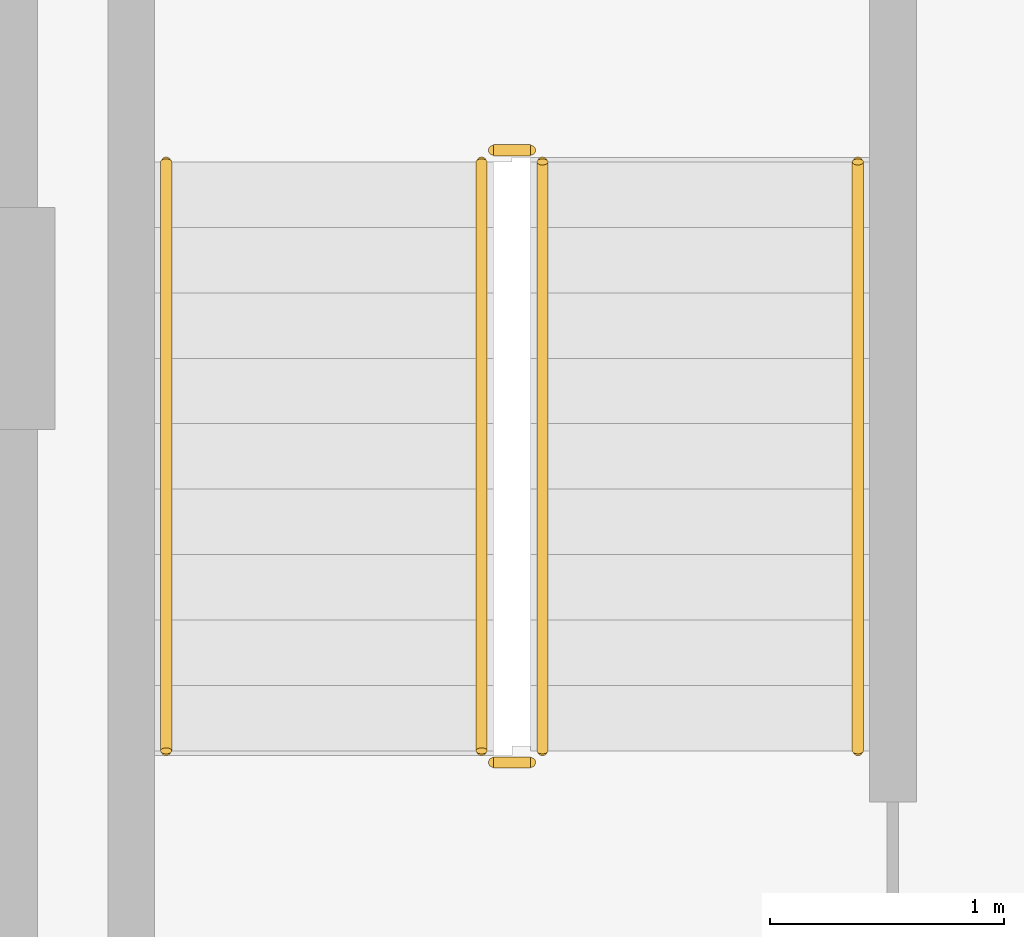
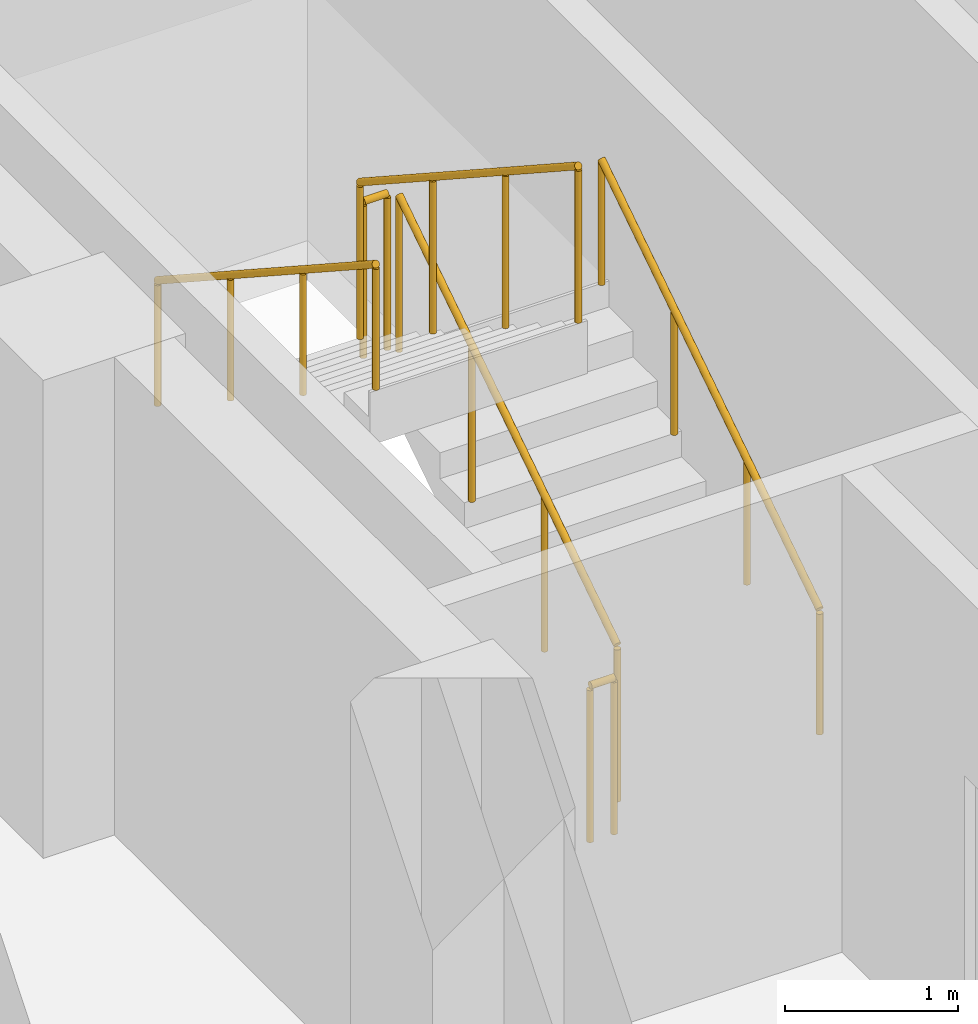
# One storey, part 11 of 13: 6 railings.
"""IFC4 building model written with IfcOpenShell, lengths in metres."""

from ifc_helpers import new_model, si_unit, direction, frame, origin, origin_2d, place, context, subcontext, project, spatial, circle, extrude, material, type_object, element, save


model = new_model("IFC4")

# Units and contexts
model_context = context("Model", 3, precision=1e-05, world=origin(), true_north=direction((0.0, 1.0)))
body_context = subcontext(model_context, "Body", "Model", "MODEL_VIEW")
ifc_project = project(units=[si_unit("LENGTHUNIT", "METRE"), si_unit("AREAUNIT", "SQUARE_METRE"), si_unit("VOLUMEUNIT", "CUBIC_METRE"), si_unit("PLANEANGLEUNIT", "RADIAN"), si_unit("MASSUNIT", "GRAM", prefix="KILO")], contexts=[model_context])

# Site, building, storey
site_placement = place(None, origin())
site = spatial("IfcSite", under=ifc_project, at=site_placement, CompositionType="ELEMENT")
building_placement = place(site_placement, origin())
building = spatial("IfcBuilding", under=site, at=building_placement, Name="Nuvemarco Arch Tower", CompositionType="ELEMENT")
storey_placement = place(building_placement, frame((0.0, 0.0, 153.050048828125)))
storey = spatial("IfcBuildingStorey", under=building, at=storey_placement, Name="L40", CompositionType="ELEMENT", Elevation=153.050048828125)

# Railings
ifc_material_1 = material(Name="Brushed stainless steel handrail", Category="steel")
railing_type_1 = type_object("IfcRailingType", Name="RL-HANDRAIL-900", PredefinedType="HANDRAIL", material=ifc_material_1)
railing_1_placement = place(storey_placement, frame((-13.590087890625, 2.64990234375, 0.182373046875)))
element("IfcRailing", 1, at=railing_1_placement, inside=storey, type_object=railing_type_1, Name="L40 ST-1 stair handrail 1", PredefinedType="HANDRAIL", context=body_context, shape_type="SweptSolid", body=[
    extrude(circle(Radius=0.02392578125, at=origin_2d()), frame((0.0, 0.0, 0.8759765625), z_axis=(0.0, 0.837749427056, 0.546054848405), x_axis=(-1.0, 0.0, 0.0)), (0.0, 0.0, 1.0), 3.008056640625),
    extrude(circle(Radius=0.02099609375, at=origin_2d()), origin(), (0.0, 0.0, 1.0), 0.851806640625),
    extrude(circle(Radius=0.02099609375, at=origin_2d()), frame((0.0, 0.840087890625, 0.547607421875)), (0.0, 0.0, 1.0), 0.851806640625),
    extrude(circle(Radius=0.02099609375, at=origin_2d()), frame((0.0, 1.679931640625, 1.094970703125)), (0.0, 0.0, 1.0), 0.851806640625),
    extrude(circle(Radius=0.02099609375, at=origin_2d()), frame((0.0, 2.52001953125, 1.642578125)), (0.0, 0.0, 1.0), 0.851806640625),
])
railing_2_placement = place(storey_placement, frame((-16.550048828125, 5.169921875, 2.007568359375)))
element("IfcRailing", 2, at=railing_2_placement, inside=storey, type_object=railing_type_1, Name="L40 ST-1 stair handrail 2", PredefinedType="HANDRAIL", context=body_context, shape_type="SweptSolid", body=[
    extrude(circle(Radius=0.02392578125, at=origin_2d()), frame((0.0, 0.0, 0.8759765625), z_axis=(0.0, -0.837786554691, 0.545997883492), x_axis=(1.0, 0.0, 0.0)), (0.0, 0.0, 1.0), 3.008056640625),
    extrude(circle(Radius=0.02099609375, at=origin_2d()), origin(), (0.0, 0.0, 1.0), 0.851806640625),
    extrude(circle(Radius=0.02099609375, at=origin_2d()), frame((0.0, -0.840087890625, 0.54736328125)), (0.0, 0.0, 1.0), 0.851806640625),
    extrude(circle(Radius=0.02099609375, at=origin_2d()), frame((0.0, -1.679931640625, 1.094970703125)), (0.0, 0.0, 1.0), 0.851806640625),
    extrude(circle(Radius=0.02099609375, at=origin_2d()), frame((0.0, -2.52001953125, 1.642333984375)), (0.0, 0.0, 1.0), 0.851806640625),
])
ifc_material_2 = material(Name="Painted balustrade steel S355", Category="steel")
railing_type_2 = type_object("IfcRailingType", Name="RL-STAIR-GUARD", PredefinedType="GUARDRAIL", material=ifc_material_2)
railing_3_placement = place(storey_placement, frame((-14.93994140625, 2.64990234375, 0.182373046875)))
element("IfcRailing", 3, at=railing_3_placement, inside=storey, type_object=railing_type_2, Name="L40 ST-1 stair guard 1", PredefinedType="GUARDRAIL", context=body_context, shape_type="SweptSolid", body=[
    extrude(circle(Radius=0.02392578125, at=origin_2d()), frame((0.0, 0.0, 1.09619140625), z_axis=(0.0, 0.837749427056, 0.546054848405), x_axis=(-1.0, 0.0, 0.0)), (0.0, 0.0, 1.0), 3.008056640625),
    extrude(circle(Radius=0.02099609375, at=origin_2d()), origin(), (0.0, 0.0, 1.0), 1.072021484375),
    extrude(circle(Radius=0.02099609375, at=origin_2d()), frame((0.0, 0.840087890625, 0.547607421875)), (0.0, 0.0, 1.0), 1.072021484375),
    extrude(circle(Radius=0.02099609375, at=origin_2d()), frame((0.0, 1.679931640625, 1.094970703125)), (0.0, 0.0, 1.0), 1.072021484375),
    extrude(circle(Radius=0.02099609375, at=origin_2d()), frame((0.0, 2.52001953125, 1.642578125)), (0.0, 0.0, 1.0), 1.072021484375),
])
railing_4_placement = place(storey_placement, frame((-14.989990234375, 5.219970703125, 1.824951171875)))
element("IfcRailing", 4, at=railing_4_placement, inside=storey, type_object=railing_type_2, Name="L40 ST-1 stair guard 2", PredefinedType="GUARDRAIL", context=body_context, shape_type="SweptSolid", body=[
    extrude(circle(Radius=0.02392578125, at=origin_2d()), frame((0.0, 0.0, 1.09619140625), z_axis=(-1.0, 0.0, 0.0), x_axis=(0.0, -1.0, 0.0)), (0.0, 0.0, 1.0), 0.159912109375),
    extrude(circle(Radius=0.02099609375, at=origin_2d()), origin(), (0.0, 0.0, 1.0), 1.072021484375),
    extrude(circle(Radius=0.02099609375, at=origin_2d()), frame((-0.159912109375, 0.0, 0.0)), (0.0, 0.0, 1.0), 1.072021484375),
])
railing_5_placement = place(storey_placement, frame((-15.199951171875, 5.169921875, 2.007568359375)))
element("IfcRailing", 5, at=railing_5_placement, inside=storey, type_object=railing_type_2, Name="L40 ST-1 stair guard 3", PredefinedType="GUARDRAIL", context=body_context, shape_type="SweptSolid", body=[
    extrude(circle(Radius=0.02392578125, at=origin_2d()), frame((0.0, 0.0, 1.09619140625), z_axis=(0.0, -0.837786554691, 0.545997883492), x_axis=(1.0, 0.0, 0.0)), (0.0, 0.0, 1.0), 3.008056640625),
    extrude(circle(Radius=0.02099609375, at=origin_2d()), origin(), (0.0, 0.0, 1.0), 1.072021484375),
    extrude(circle(Radius=0.02099609375, at=origin_2d()), frame((0.0, -0.840087890625, 0.54736328125)), (0.0, 0.0, 1.0), 1.072021484375),
    extrude(circle(Radius=0.02099609375, at=origin_2d()), frame((0.0, -1.679931640625, 1.094970703125)), (0.0, 0.0, 1.0), 1.072021484375),
    extrude(circle(Radius=0.02099609375, at=origin_2d()), frame((0.0, -2.52001953125, 1.642333984375)), (0.0, 0.0, 1.0), 1.072021484375),
])
railing_6_placement = place(storey_placement, frame((-14.989990234375, 2.60009765625, 0.0)))
element("IfcRailing", 6, at=railing_6_placement, inside=storey, type_object=railing_type_2, Name="L40 ST-1 stair guard 4", PredefinedType="GUARDRAIL", context=body_context, shape_type="SweptSolid", body=[
    extrude(circle(Radius=0.02392578125, at=origin_2d()), frame((0.0, 0.0, 1.09619140625), z_axis=(-1.0, 0.0, 0.0), x_axis=(0.0, -1.0, 0.0)), (0.0, 0.0, 1.0), 0.159912109375),
    extrude(circle(Radius=0.02099609375, at=origin_2d()), origin(), (0.0, 0.0, 1.0), 1.072021484375),
    extrude(circle(Radius=0.02099609375, at=origin_2d()), frame((-0.159912109375, 0.0, 0.0)), (0.0, 0.0, 1.0), 1.072021484375),
])

save(model, "model.ifc")
